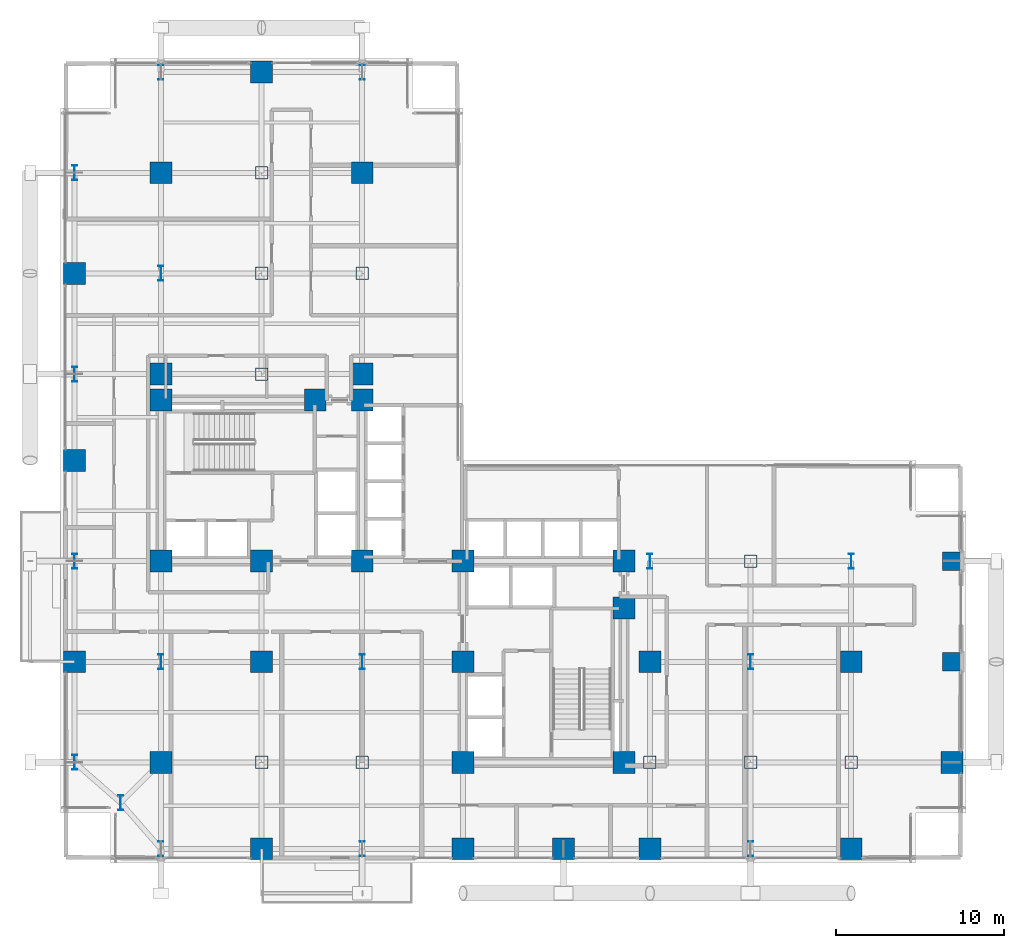
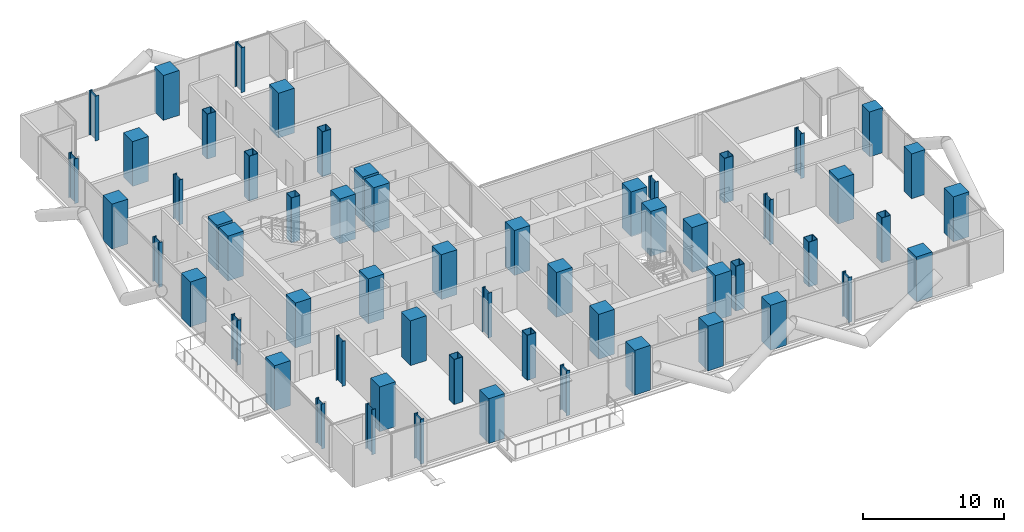
# One storey, part 1 of 25: 58 columns.
"""IFC4 building model written with IfcOpenShell, lengths in metres."""

from ifc_helpers import new_model, si_unit, direction, frame, origin, origin_2d, place, context, subcontext, project, spatial, rectangle, hollow_rectangle, i_section, extrude, material, material_profile, profile_set, type_object, element, save


model = new_model("IFC4")

# Units and contexts
model_context = context("Model", 3, precision=1e-05, world=origin(), true_north=direction((0.0, 1.0)))
body_context = subcontext(model_context, "Body", "Model", "MODEL_VIEW")
ifc_project = project(units=[si_unit("LENGTHUNIT", "METRE"), si_unit("AREAUNIT", "SQUARE_METRE"), si_unit("VOLUMEUNIT", "CUBIC_METRE"), si_unit("PLANEANGLEUNIT", "RADIAN"), si_unit("MASSUNIT", "GRAM", prefix="KILO"), si_unit("THERMODYNAMICTEMPERATUREUNIT", "KELVIN"), si_unit("POWERUNIT", "WATT")], contexts=[model_context])

# Site, building, storey
site_placement = place(None, origin())
site = spatial("IfcSite", under=ifc_project, at=site_placement, CompositionType="ELEMENT")
building_placement = place(site_placement, origin())
building = spatial("IfcBuilding", under=site, at=building_placement, Name="Svarakhadi Broadcast Tower", CompositionType="ELEMENT")
storey_placement = place(building_placement, frame((0.0, 0.0, 79.199951171875)))
storey = spatial("IfcBuildingStorey", under=building, at=storey_placement, Name="L18", CompositionType="ELEMENT", Elevation=79.199951171875)

# Columns
ifc_material_1 = material(Name="Steel S460ML (IS 2062 E450BR)", Category="steel")
ifc_material_profile_1 = material_profile(ifc_material_1, hollow_rectangle(XDim=0.75, YDim=0.75, WallThickness=0.034912109375, InnerFilletRadius=0.034912109375, OuterFilletRadius=0.050048828125, at=origin_2d()), Name="BOX 750x750x35")
ifc_profile_set_1 = profile_set([ifc_material_profile_1], Name="Steel S460ML (IS 2062 E450BR)")
column_type_1 = type_object("IfcColumnType", Name="Col_BOX750", PredefinedType="COLUMN", material=ifc_profile_set_1)
for number, where, z_axis, x_axis, name in (
    (1, (12.0, 6.0, 0.0), (0.0, 0.0, 1.0), (1.0, 0.0, 0.0), "L18 Column G19"),
    (2, (12.0, 29.14990234375, 0.0), (0.0, 0.0, 1.0), (1.0, 0.0, 0.0), "L18 Column G21"),
    (3, (12.0, 35.14990234375, 0.0), (0.0, 0.0, 1.0), (1.0, 0.0, 0.0), "L18 Column G22"),
    (4, (12.0, 41.14990234375, 0.0), (0.0, 0.0, 1.0), (1.0, 0.0, 0.0), "L18 Column G23"),
    (5, (18.0, 6.0, 0.0), (0.0, 0.0, 1.0), (1.0, 0.0, 0.0), "L18 Column G26"),
    (6, (18.0, 35.14990234375, 0.0), (0.0, 0.0, 1.0), (1.0, 0.0, 0.0), "L18 Column G29"),
    (7, (35.14990234375, 6.0, 0.0), (0.0, 0.0, 1.0), (1.0, 0.0, 0.0), "L18 Column G39"),
    (8, (41.14990234375, 6.0, 0.0), (0.0, 0.0, 1.0), (1.0, 0.0, 0.0), "L18 Column G44"),
    (9, (41.14990234375, 18.0, 0.0), (0.0, 0.0, 1.0), (1.0, 0.0, 0.0), "L18 Column G46"),
    (10, (47.14990234375, 6.0, 0.0), (0.0, 0.0, 1.0), (1.0, 0.0, 0.0), "L18 Column G51"),
):
    element("IfcColumn", number, at=place(storey_placement, frame(where, z_axis=z_axis, x_axis=x_axis)), inside=storey, type_object=column_type_1, Name=name, PredefinedType="COLUMN", context=body_context, shape_type="SweptSolid", body=[
        extrude(hollow_rectangle(XDim=0.75, YDim=0.75, WallThickness=0.034912109375, InnerFilletRadius=0.034912109375, OuterFilletRadius=0.050048828125, at=origin_2d()), origin(), (0.0, 0.0, 1.0), 3.900146484375),
    ])
ifc_material_2 = material(Name="Concrete C50/60 (IS 456 M60)", Category="concrete")
ifc_material_profile_2 = material_profile(ifc_material_2, rectangle(XDim=1.10009765625, YDim=1.10009765625, at=origin_2d()), Name="RC 1100x1100")
ifc_profile_set_2 = profile_set([ifc_material_profile_2], Name="Concrete C50/60 (IS 456 M60)")
column_type_2 = type_object("IfcColumnType", Name="Col_RC1100", PredefinedType="COLUMN", material=ifc_profile_set_2)
for number, where, z_axis, x_axis, name in (
    (11, (53.14990234375, 12.0, 0.0), (0.0, 0.0, 1.0), (1.0, 0.0, 0.0), "L18 Zone-1 East Stack Column ZT02"),
    (12, (53.14990234375, 18.0, 0.0), (0.0, 0.0, 1.0), (1.0, 0.0, 0.0), "L18 Zone-1 East Stack Column ZT03"),
):
    element("IfcColumn", number, at=place(storey_placement, frame(where, z_axis=z_axis, x_axis=x_axis)), inside=storey, type_object=column_type_2, Name=name, PredefinedType="COLUMN", context=body_context, shape_type="SweptSolid", body=[
        extrude(rectangle(XDim=1.10009765625, YDim=1.10009765625, at=origin_2d()), origin(), (0.0, 0.0, 1.0), 3.900146484375),
    ])
ifc_material_3 = material(Name="Concrete C60/75 (IS 456 M70)", Category="concrete")
ifc_material_profile_3 = material_profile(ifc_material_3, rectangle(XDim=1.300048828125, YDim=1.300048828125, at=origin_2d()), Name="RC 1300x1300")
ifc_profile_set_3 = profile_set([ifc_material_profile_3], Name="Concrete C60/75 (IS 456 M70)")
column_type_3 = type_object("IfcColumnType", Name="Col_RC1300", PredefinedType="COLUMN", material=ifc_profile_set_3)
for number, where, z_axis, x_axis, name in (
    (13, (6.0, 18.0, 0.0), (0.0, 0.0, 1.0), (1.0, 0.0, 0.0), "L18 Column CW1"),
    (14, (12.0, 18.0, 0.0), (0.0, 0.0, 1.0), (1.0, 0.0, 0.0), "L18 Column CW2"),
    (15, (18.0, 18.0, 0.0), (0.0, 0.0, 1.0), (1.0, 0.0, 0.0), "L18 Column CW3"),
    (16, (6.0, 27.60009765625, 0.0), (0.0, 0.0, 1.0), (1.0, 0.0, 0.0), "L18 Column CW4"),
    (17, (15.199951171875, 27.60009765625, 0.0), (0.0, 0.0, 1.0), (1.0, 0.0, 0.0), "L18 Column CW5"),
    (18, (18.0, 27.60009765625, 0.0), (0.0, 0.0, 1.0), (1.0, 0.0, 0.0), "L18 Column CW6"),
    (19, (24.0, 6.0, 0.0), (0.0, 0.0, 1.0), (1.0, 0.0, 0.0), "L18 Column CE1"),
    (20, (24.0, 12.0, 0.0), (0.0, 0.0, 1.0), (1.0, 0.0, 0.0), "L18 Column CE2"),
    (21, (24.0, 18.0, 0.0), (0.0, 0.0, 1.0), (1.0, 0.0, 0.0), "L18 Column CE3"),
    (22, (33.60009765625, 6.0, 0.0), (0.0, 0.0, 1.0), (1.0, 0.0, 0.0), "L18 Column CE4"),
    (23, (33.60009765625, 15.199951171875, 0.0), (0.0, 0.0, 1.0), (1.0, 0.0, 0.0), "L18 Column CE5"),
    (24, (33.60009765625, 18.0, 0.0), (0.0, 0.0, 1.0), (1.0, 0.0, 0.0), "L18 Column CE6"),
    (25, (0.85009765625, 12.0, 0.0), (0.0, 0.0, 1.0), (1.0, 0.0, 0.0), "L18 Column G04"),
    (26, (0.85009765625, 24.0, 0.0), (0.0, 0.0, 1.0), (1.0, 0.0, 0.0), "L18 Column G06"),
    (27, (0.85009765625, 35.14990234375, 0.0), (0.0, 0.0, 1.0), (1.0, 0.0, 0.0), "L18 Column G08"),
    (28, (6.0, 6.0, 0.0), (0.0, 0.0, 1.0), (1.0, 0.0, 0.0), "L18 Column G12"),
    (29, (6.0, 29.14990234375, 0.0), (0.0, 0.0, 1.0), (1.0, 0.0, 0.0), "L18 Column G14"),
    (30, (6.0, 41.14990234375, 0.0), (0.0, 0.0, 1.0), (1.0, 0.0, 0.0), "L18 Column G16"),
    (31, (12.0, 0.85009765625, 0.0), (0.0, 0.0, 1.0), (1.0, 0.0, 0.0), "L18 Column G18"),
    (32, (12.0, 12.0, 0.0), (0.0, 0.0, 1.0), (1.0, 0.0, 0.0), "L18 Column G20"),
    (33, (12.0, 47.14990234375, 0.0), (0.0, 0.0, 1.0), (1.0, 0.0, 0.0), "L18 Column G24"),
    (34, (18.0, 29.14990234375, 0.0), (0.0, 0.0, 1.0), (1.0, 0.0, 0.0), "L18 Column G28"),
    (35, (18.0, 41.14990234375, 0.0), (0.0, 0.0, 1.0), (1.0, 0.0, 0.0), "L18 Column G30"),
    (36, (24.0, 0.85009765625, 0.0), (0.0, 0.0, 1.0), (1.0, 0.0, 0.0), "L18 Column G32"),
    (37, (30.0, 0.85009765625, 0.0), (0.0, 0.0, 1.0), (1.0, 0.0, 0.0), "L18 Column G36"),
    (38, (35.14990234375, 0.85009765625, 0.0), (0.0, 0.0, 1.0), (1.0, 0.0, 0.0), "L18 Column G38"),
    (39, (35.14990234375, 12.0, 0.0), (0.0, 0.0, 1.0), (1.0, 0.0, 0.0), "L18 Column G40"),
    (40, (47.14990234375, 0.85009765625, 0.0), (0.0, 0.0, 1.0), (1.0, 0.0, 0.0), "L18 Column G50"),
    (41, (47.14990234375, 12.0, 0.0), (0.0, 0.0, 1.0), (1.0, 0.0, 0.0), "L18 Column G52"),
    (42, (53.14990234375, 6.0, 0.0), (0.0, 0.0, 1.0), (1.0, 0.0, 0.0), "L18 Column G58"),
):
    element("IfcColumn", number, at=place(storey_placement, frame(where, z_axis=z_axis, x_axis=x_axis)), inside=storey, type_object=column_type_3, Name=name, PredefinedType="COLUMN", context=body_context, shape_type="SweptSolid", body=[
        extrude(rectangle(XDim=1.300048828125, YDim=1.300048828125, at=origin_2d()), origin(), (0.0, 0.0, 1.0), 3.900146484375),
    ])
ifc_material_profile_4 = material_profile(ifc_material_1, i_section(OverallWidth=0.300048828125, OverallDepth=0.89990234375, WebThickness=0.0185546875, FlangeThickness=0.034912109375, FilletRadius=0.030029296875, at=origin_2d()), Name="WPB 900x300x291")
ifc_profile_set_4 = profile_set([ifc_material_profile_4], Name="Steel S460ML (IS 2062 E450BR)")
column_type_4 = type_object("IfcColumnType", Name="Col_WPB900", PredefinedType="COLUMN", material=ifc_profile_set_4)
for number, where, z_axis, x_axis, name in (
    (43, (3.60009765625, 3.60009765625, 0.0), (0.0, 0.0, 1.0), (1.0, 0.0, 0.0), "L18 Column G01"),
    (44, (0.85009765625, 6.0, 0.0), (0.0, 0.0, 1.0), (1.0, 0.0, 0.0), "L18 Column G03"),
    (45, (0.85009765625, 18.0, 0.0), (0.0, 0.0, 1.0), (1.0, 0.0, 0.0), "L18 Column G05"),
    (46, (0.85009765625, 29.14990234375, 0.0), (0.0, 0.0, 1.0), (1.0, 0.0, 0.0), "L18 Column G07"),
    (47, (0.85009765625, 41.14990234375, 0.0), (0.0, 0.0, 1.0), (1.0, 0.0, 0.0), "L18 Column G09"),
    (48, (6.0, 0.85009765625, 0.0), (0.0, 0.0, 1.0), (1.0, 0.0, 0.0), "L18 Column G11"),
    (49, (6.0, 12.0, 0.0), (0.0, 0.0, 1.0), (1.0, 0.0, 0.0), "L18 Column G13"),
    (50, (6.0, 35.14990234375, 0.0), (0.0, 0.0, 1.0), (1.0, 0.0, 0.0), "L18 Column G15"),
    (51, (6.0, 47.14990234375, 0.0), (0.0, 0.0, 1.0), (1.0, 0.0, 0.0), "L18 Column G17"),
    (52, (18.0, 0.85009765625, 0.0), (0.0, 0.0, 1.0), (1.0, 0.0, 0.0), "L18 Column G25"),
    (53, (18.0, 12.0, 0.0), (0.0, 0.0, 1.0), (1.0, 0.0, 0.0), "L18 Column G27"),
    (54, (18.0, 47.14990234375, 0.0), (0.0, 0.0, 1.0), (1.0, 0.0, 0.0), "L18 Column G31"),
    (55, (35.14990234375, 18.0, 0.0), (0.0, 0.0, 1.0), (1.0, 0.0, 0.0), "L18 Column G41"),
    (56, (41.14990234375, 0.85009765625, 0.0), (0.0, 0.0, 1.0), (1.0, 0.0, 0.0), "L18 Column G43"),
    (57, (41.14990234375, 12.0, 0.0), (0.0, 0.0, 1.0), (1.0, 0.0, 0.0), "L18 Column G45"),
    (58, (47.14990234375, 18.0, 0.0), (0.0, 0.0, 1.0), (1.0, 0.0, 0.0), "L18 Column G53"),
):
    element("IfcColumn", number, at=place(storey_placement, frame(where, z_axis=z_axis, x_axis=x_axis)), inside=storey, type_object=column_type_4, Name=name, PredefinedType="COLUMN", context=body_context, shape_type="SweptSolid", body=[
        extrude(i_section(OverallWidth=0.300048828125, OverallDepth=0.89990234375, WebThickness=0.0185546875, FlangeThickness=0.034912109375, FilletRadius=0.030029296875, at=origin_2d()), origin(), (0.0, 0.0, 1.0), 3.900146484375),
    ])

save(model, "model.ifc")
